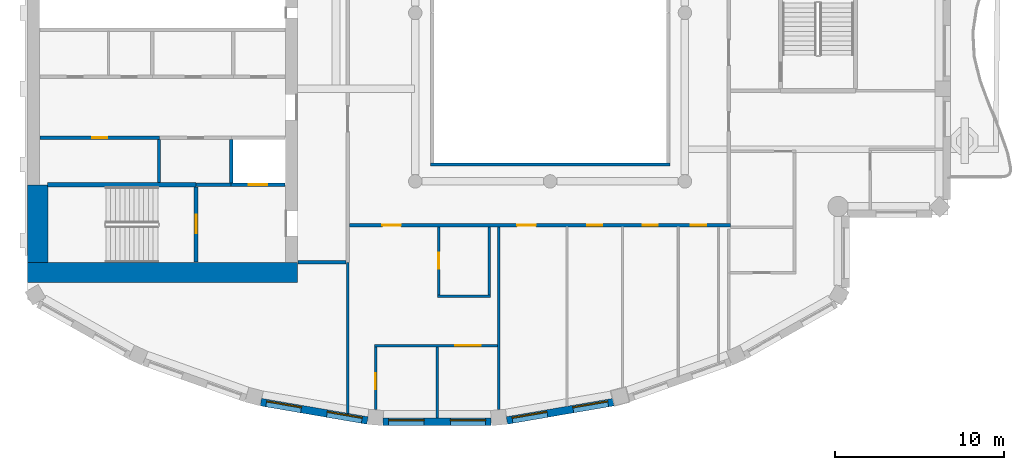
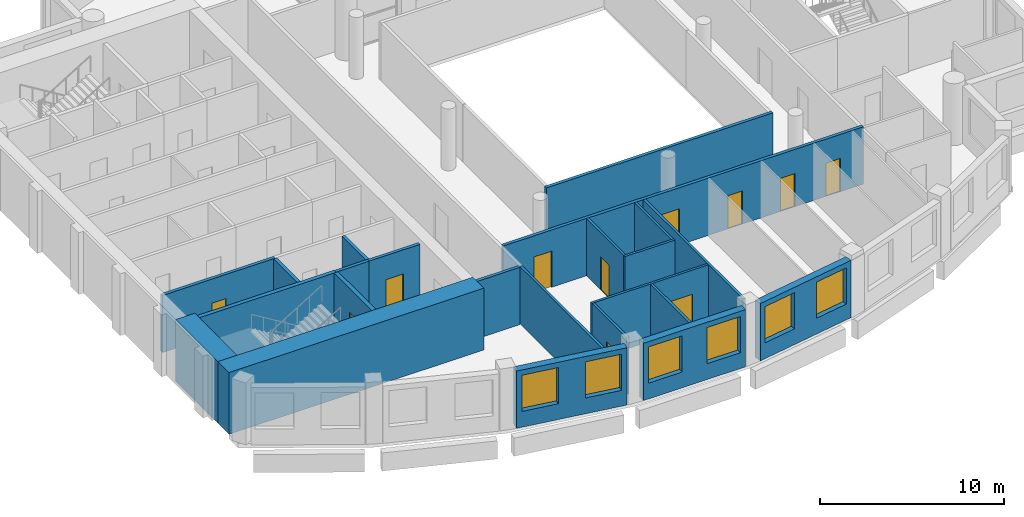
# One storey, part 4 of 15: 23 walls, 11 doors, 6 windows, 17 openings.
"""IFC4 building model written with IfcOpenShell, lengths in metres."""

from ifc_helpers import new_model, si_unit, direction, frame, frame_2d, origin, place, context, subcontext, project, spatial, rectangle, extrude, material, layer, layer_set, type_object, element, fill, save


model = new_model("IFC4")

# Units and contexts
model_context = context("Model", 3, precision=1e-05, world=origin(), true_north=direction((0.0, 1.0)))
body_context = subcontext(model_context, "Body", "Model", "MODEL_VIEW")
ifc_project = project(units=[si_unit("LENGTHUNIT", "METRE"), si_unit("AREAUNIT", "SQUARE_METRE"), si_unit("VOLUMEUNIT", "CUBIC_METRE"), si_unit("PLANEANGLEUNIT", "RADIAN"), si_unit("MASSUNIT", "GRAM", prefix="KILO")], contexts=[model_context])

# Site, building, storey
site_placement = place(None, origin())
site = spatial("IfcSite", under=ifc_project, at=site_placement, CompositionType="ELEMENT")
building_placement = place(site_placement, origin())
building = spatial("IfcBuilding", under=site, at=building_placement, Name="Cypress Arch Tower", CompositionType="ELEMENT")
storey_placement = place(building_placement, frame((0.0, 0.0, 321.300048828125)))
storey = spatial("IfcBuildingStorey", under=building, at=storey_placement, Name="L73", CompositionType="ELEMENT", Elevation=321.300048828125)

# Wall, openings, windows
ifc_material_1 = material(Name="Brick (red buff blend)", Category="masonry")
ifc_layer_1 = layer(ifc_material_1, 0.449951171875)
ifc_layer_set_1 = layer_set([ifc_layer_1], Name="Brick pier and spandrel wall BW450")
wall_type_1 = type_object("IfcWallType", Name="Brick pier and spandrel wall BW450", PredefinedType="SOLIDWALL", material=ifc_layer_set_1)
wall_1_placement = place(storey_placement, frame((-16.15673828125, -23.09716796875, 0.0), z_axis=(0.0, 0.0, 1.0), x_axis=(0.985502073964, -0.169663379113, 0.0)))
wall_1 = element("IfcWall", 1, at=wall_1_placement, inside=storey, type_object=wall_type_1, Name="Brick wall L73 C10.0", PredefinedType="SOLIDWALL", context=body_context, shape_type="SweptSolid", body=[
    extrude(rectangle(XDim=6.412109375, YDim=0.449951171875, at=frame_2d((3.2060546875, 0.0))), origin(), (0.0, 0.0, 1.0), 3.800048828125),
])
opening_1_placement = place(wall_1_placement, frame((0.3271484375, 0.0, 1.050048828125)))
opening_1 = element("IfcOpeningElement", 2, at=opening_1_placement, cuts=wall_1, Name="Opening W210O", PredefinedType="OPENING", context=body_context, shape_type="SweptSolid", body=[
    extrude(rectangle(XDim=2.10009765625, YDim=2.39990234375, at=frame_2d((1.050048828125, 1.199951171875))), frame((0.0, 0.23486328125, 0.0), z_axis=(0.0, -1.0, 0.0), x_axis=(1.0, 0.0, 0.0)), (0.0, 0.0, 1.0), 0.469970703125),
])
opening_2_placement = place(wall_1_placement, frame((3.98486328125, 0.0, 1.050048828125)))
opening_2 = element("IfcOpeningElement", 3, at=opening_2_placement, cuts=wall_1, Name="Opening W210O", PredefinedType="OPENING", context=body_context, shape_type="SweptSolid", body=[
    extrude(rectangle(XDim=2.10009765625, YDim=2.39990234375, at=frame_2d((1.050048828125, 1.199951171875))), frame((0.0, 0.23486328125, 0.0), z_axis=(0.0, -1.0, 0.0), x_axis=(1.0, 0.0, 0.0)), (0.0, 0.0, 1.0), 0.469970703125),
])
ifc_material_2 = material(Name="Anodised aluminium, bronze finish, clear low-emissivity double glazing", Category="aluminium")
window_type = type_object("IfcWindowType", Name="Window Office 2100x2400", PartitioningType="SINGLE_PANEL", PredefinedType="WINDOW", material=ifc_material_2)
window_1_placement = place(opening_1_placement, origin())
window_1 = element("IfcWindow", 4, at=window_1_placement, inside=storey, type_object=window_type, Name="Window L73 C10.0.1", OverallHeight=2.39990234375, OverallWidth=2.10009765625, PartitioningType="SINGLE_PANEL", PredefinedType="WINDOW", context=body_context, shape_type="SweptSolid", body=[
    extrude(rectangle(XDim=2.10009765625, YDim=2.39990234375, at=frame_2d((1.050048828125, 1.199951171875))), frame((0.0, 0.135009765625, 0.0), z_axis=(0.0, -1.0, 0.0), x_axis=(1.0, 0.0, 0.0)), (0.0, 0.0, 1.0), 0.06005859375),
])
fill(opening_1, window_1)
window_2_placement = place(opening_2_placement, origin())
window_2 = element("IfcWindow", 5, at=window_2_placement, inside=storey, type_object=window_type, Name="Window L73 C10.0.2", OverallHeight=2.39990234375, OverallWidth=2.10009765625, PartitioningType="SINGLE_PANEL", PredefinedType="WINDOW", context=body_context, shape_type="SweptSolid", body=[
    extrude(rectangle(XDim=2.10009765625, YDim=2.39990234375, at=frame_2d((1.050048828125, 1.199951171875))), frame((0.0, 0.135009765625, 0.0), z_axis=(0.0, -1.0, 0.0), x_axis=(1.0, 0.0, 0.0)), (0.0, 0.0, 1.0), 0.06005859375),
])
fill(opening_2, window_2)

wall_2_placement = place(storey_placement, frame((-8.90283203125, -24.264892578125, 0.0), z_axis=(0.0, 0.0, 1.0), x_axis=(1.0, 0.0, 0.0)))
wall_2 = element("IfcWall", 6, at=wall_2_placement, inside=storey, type_object=wall_type_1, Name="Brick wall L73 C11.0", PredefinedType="SOLIDWALL", context=body_context, shape_type="SweptSolid", body=[
    extrude(rectangle(XDim=6.405517578125, YDim=0.449951171875, at=frame_2d((3.20263671875, 0.0))), origin(), (0.0, 0.0, 1.0), 3.800048828125),
])
opening_3_placement = place(wall_2_placement, frame((0.325439453125, 0.0, 1.050048828125)))
opening_3 = element("IfcOpeningElement", 7, at=opening_3_placement, cuts=wall_2, Name="Opening W210O", PredefinedType="OPENING", context=body_context, shape_type="SweptSolid", body=[
    extrude(rectangle(XDim=2.10009765625, YDim=2.39990234375, at=frame_2d((1.050048828125, 1.199951171875))), frame((0.0, 0.23486328125, 0.0), z_axis=(0.0, -1.0, 0.0), x_axis=(1.0, 0.0, 0.0)), (0.0, 0.0, 1.0), 0.469970703125),
])
opening_4_placement = place(wall_2_placement, frame((3.97998046875, 0.0, 1.050048828125)))
opening_4 = element("IfcOpeningElement", 8, at=opening_4_placement, cuts=wall_2, Name="Opening W210O", PredefinedType="OPENING", context=body_context, shape_type="SweptSolid", body=[
    extrude(rectangle(XDim=2.10009765625, YDim=2.39990234375, at=frame_2d((1.050048828125, 1.199951171875))), frame((0.0, 0.23486328125, 0.0), z_axis=(0.0, -1.0, 0.0), x_axis=(1.0, 0.0, 0.0)), (0.0, 0.0, 1.0), 0.469970703125),
])
window_3_placement = place(opening_3_placement, origin())
window_3 = element("IfcWindow", 9, at=window_3_placement, inside=storey, type_object=window_type, Name="Window L73 C11.0.1", OverallHeight=2.39990234375, OverallWidth=2.10009765625, PartitioningType="SINGLE_PANEL", PredefinedType="WINDOW", context=body_context, shape_type="SweptSolid", body=[
    extrude(rectangle(XDim=2.10009765625, YDim=2.39990234375, at=frame_2d((1.050048828125, 1.199951171875))), frame((0.0, 0.135009765625, 0.0), z_axis=(0.0, -1.0, 0.0), x_axis=(1.0, 0.0, 0.0)), (0.0, 0.0, 1.0), 0.06005859375),
])
fill(opening_3, window_3)
window_4_placement = place(opening_4_placement, origin())
window_4 = element("IfcWindow", 10, at=window_4_placement, inside=storey, type_object=window_type, Name="Window L73 C11.0.2", OverallHeight=2.39990234375, OverallWidth=2.10009765625, PartitioningType="SINGLE_PANEL", PredefinedType="WINDOW", context=body_context, shape_type="SweptSolid", body=[
    extrude(rectangle(XDim=2.10009765625, YDim=2.39990234375, at=frame_2d((1.050048828125, 1.199951171875))), frame((0.0, 0.135009765625, 0.0), z_axis=(0.0, -1.0, 0.0), x_axis=(1.0, 0.0, 0.0)), (0.0, 0.0, 1.0), 0.06005859375),
])
fill(opening_4, window_4)

wall_3_placement = place(storey_placement, frame((-1.562255859375, -24.18505859375, 0.0), z_axis=(0.0, 0.0, 1.0), x_axis=(0.985502073964, 0.169663379113, 0.0)))
wall_3 = element("IfcWall", 11, at=wall_3_placement, inside=storey, type_object=wall_type_1, Name="Brick wall L73 C12.0", PredefinedType="SOLIDWALL", context=body_context, shape_type="SweptSolid", body=[
    extrude(rectangle(XDim=6.412109375, YDim=0.449951171875, at=frame_2d((3.2060546875, 0.0))), origin(), (0.0, 0.0, 1.0), 3.800048828125),
])
opening_5_placement = place(wall_3_placement, frame((0.3271484375, 0.0, 1.050048828125)))
opening_5 = element("IfcOpeningElement", 12, at=opening_5_placement, cuts=wall_3, Name="Opening W210O", PredefinedType="OPENING", context=body_context, shape_type="SweptSolid", body=[
    extrude(rectangle(XDim=2.10009765625, YDim=2.39990234375, at=frame_2d((1.050048828125, 1.199951171875))), frame((0.0, 0.23486328125, 0.0), z_axis=(0.0, -1.0, 0.0), x_axis=(1.0, 0.0, 0.0)), (0.0, 0.0, 1.0), 0.469970703125),
])
opening_6_placement = place(wall_3_placement, frame((3.98486328125, 0.0, 1.050048828125)))
opening_6 = element("IfcOpeningElement", 13, at=opening_6_placement, cuts=wall_3, Name="Opening W210O", PredefinedType="OPENING", context=body_context, shape_type="SweptSolid", body=[
    extrude(rectangle(XDim=2.10009765625, YDim=2.39990234375, at=frame_2d((1.050048828125, 1.199951171875))), frame((0.0, 0.23486328125, 0.0), z_axis=(0.0, -1.0, 0.0), x_axis=(1.0, 0.0, 0.0)), (0.0, 0.0, 1.0), 0.469970703125),
])
window_5_placement = place(opening_5_placement, origin())
window_5 = element("IfcWindow", 14, at=window_5_placement, inside=storey, type_object=window_type, Name="Window L73 C12.0.1", OverallHeight=2.39990234375, OverallWidth=2.10009765625, PartitioningType="SINGLE_PANEL", PredefinedType="WINDOW", context=body_context, shape_type="SweptSolid", body=[
    extrude(rectangle(XDim=2.10009765625, YDim=2.39990234375, at=frame_2d((1.050048828125, 1.199951171875))), frame((0.0, 0.135009765625, 0.0), z_axis=(0.0, -1.0, 0.0), x_axis=(1.0, 0.0, 0.0)), (0.0, 0.0, 1.0), 0.06005859375),
])
fill(opening_5, window_5)
window_6_placement = place(opening_6_placement, origin())
window_6 = element("IfcWindow", 15, at=window_6_placement, inside=storey, type_object=window_type, Name="Window L73 C12.0.2", OverallHeight=2.39990234375, OverallWidth=2.10009765625, PartitioningType="SINGLE_PANEL", PredefinedType="WINDOW", context=body_context, shape_type="SweptSolid", body=[
    extrude(rectangle(XDim=2.10009765625, YDim=2.39990234375, at=frame_2d((1.050048828125, 1.199951171875))), frame((0.0, 0.135009765625, 0.0), z_axis=(0.0, -1.0, 0.0), x_axis=(1.0, 0.0, 0.0)), (0.0, 0.0, 1.0), 0.06005859375),
])
fill(opening_6, window_6)

# Walls
ifc_material_3 = material(Name="Concrete C60/75", Category="concrete")
ifc_layer_2 = layer(ifc_material_3, 1.199951171875)
ifc_layer_set_2 = layer_set([ifc_layer_2], Name="Core wall CW1200 C60/75")
wall_type_2 = type_object("IfcWallType", Name="Core wall CW1200 C60/75", PredefinedType="SHEAR", material=ifc_layer_set_2)
wall_4_placement = place(storey_placement, frame((-30.0, -15.39990234375, 0.0), z_axis=(0.0, 0.0, 1.0), x_axis=(1.0, 0.0, 0.0)))
element("IfcWall", 16, at=wall_4_placement, inside=storey, type_object=wall_type_2, Name="Core wall", PredefinedType="SHEAR", context=body_context, shape_type="SweptSolid", body=[
    extrude(rectangle(XDim=16.0, YDim=1.199951171875, at=frame_2d((8.0, 0.0))), origin(), (0.0, 0.0, 1.0), 4.099853515625),
])
wall_5_placement = place(storey_placement, frame((-29.39990234375, -14.800048828125, 0.0), z_axis=(0.0, 0.0, 1.0), x_axis=(0.0, 1.0, 0.0)))
element("IfcWall", 17, at=wall_5_placement, inside=storey, type_object=wall_type_2, Name="Core wall", PredefinedType="SHEAR", context=body_context, shape_type="SweptSolid", body=[
    extrude(rectangle(XDim=4.60009765625, YDim=1.199951171875, at=frame_2d((2.300048828125, 0.0))), origin(), (0.0, 0.0, 1.0), 4.099853515625),
])

# Wall, opening, door
ifc_material_4 = material(Name="Concrete blockwork, plastered, rated", Category="masonry")
ifc_layer_3 = layer(ifc_material_4, 0.199951171875)
ifc_layer_set_3 = layer_set([ifc_layer_3], Name="Corridor wall FW200")
wall_type_3 = type_object("IfcWallType", Name="Corridor wall FW200", PredefinedType="PARTITIONING", material=ifc_layer_set_3)
wall_6_placement = place(storey_placement, frame((-29.27001953125, -7.39990234375, 0.0), z_axis=(0.0, 0.0, 1.0), x_axis=(1.0, 0.0, 0.0)))
wall_6 = element("IfcWall", 18, at=wall_6_placement, inside=storey, type_object=wall_type_3, Name="Corridor wall", PredefinedType="PARTITIONING", context=body_context, shape_type="SweptSolid", body=[
    extrude(rectangle(XDim=7.090087890625, YDim=0.199951171875, at=frame_2d((3.544921875, 0.0))), origin(), (0.0, 0.0, 1.0), 3.800048828125),
])
opening_7_placement = place(wall_6_placement, frame((3.10009765625, 0.0, 0.0)))
opening_7 = element("IfcOpeningElement", 19, at=opening_7_placement, cuts=wall_6, Name="Opening D05", PredefinedType="OPENING", context=body_context, shape_type="SweptSolid", body=[
    extrude(rectangle(XDim=0.89990234375, YDim=2.199951171875, at=frame_2d((0.449951171875, 1.10009765625))), frame((0.0, 0.10986328125, 0.0), z_axis=(0.0, -1.0, 0.0), x_axis=(1.0, 0.0, 0.0)), (0.0, 0.0, 1.0), 0.219970703125),
])
ifc_material_5 = material(Name="Timber flush door", Category="wood")
door_type_1 = type_object("IfcDoorType", Name="Service door D05 900x2200", OperationType="SINGLE_SWING_LEFT", PredefinedType="DOOR", material=ifc_material_5)
door_1_placement = place(opening_7_placement, origin())
door_1 = element("IfcDoor", 20, at=door_1_placement, inside=storey, type_object=door_type_1, Name="Service door", OperationType="SINGLE_SWING_LEFT", OverallHeight=2.199951171875, OverallWidth=0.89990234375, PredefinedType="DOOR", context=body_context, shape_type="SweptSolid", body=[
    extrude(rectangle(XDim=0.89990234375, YDim=2.199951171875, at=frame_2d((0.449951171875, 1.10009765625))), frame((0.0, 0.02490234375, 0.0), z_axis=(0.0, -1.0, 0.0), x_axis=(1.0, 0.0, 0.0)), (0.0, 0.0, 1.0), 0.050048828125),
])
fill(opening_7, door_1)

# Wall
wall_7_placement = place(storey_placement, frame((-13.969970703125, -14.800048828125, 0.0), z_axis=(0.0, 0.0, 1.0), x_axis=(1.0, 0.0, 0.0)))
element("IfcWall", 21, at=wall_7_placement, inside=storey, type_object=wall_type_3, Name="Corridor wall", PredefinedType="PARTITIONING", context=body_context, shape_type="SweptSolid", body=[
    extrude(rectangle(XDim=2.869873046875, YDim=0.199951171875, at=frame_2d((1.43505859375, 0.0))), origin(), (0.0, 0.0, 1.0), 3.800048828125),
])

# Wall, openings, doors
wall_8_placement = place(storey_placement, frame((-10.89990234375, -12.60009765625, 0.0), z_axis=(0.0, 0.0, 1.0), x_axis=(1.0, 0.0, 0.0)))
wall_8 = element("IfcWall", 22, at=wall_8_placement, inside=storey, type_object=wall_type_3, Name="Corridor wall", PredefinedType="PARTITIONING", context=body_context, shape_type="SweptSolid", body=[
    extrude(rectangle(XDim=22.599853515625, YDim=0.199951171875, at=frame_2d((11.2998046875, 0.0))), origin(), (0.0, 0.0, 1.0), 3.800048828125),
])
opening_8_placement = place(wall_8_placement, frame((14.10009765625, 0.0, 0.0)))
opening_8 = element("IfcOpeningElement", 23, at=opening_8_placement, cuts=wall_8, Name="Opening D03", PredefinedType="OPENING", context=body_context, shape_type="SweptSolid", body=[
    extrude(rectangle(XDim=0.89990234375, YDim=2.199951171875, at=frame_2d((0.449951171875, 1.10009765625))), frame((0.0, 0.10986328125, 0.0), z_axis=(0.0, -1.0, 0.0), x_axis=(1.0, 0.0, 0.0)), (0.0, 0.0, 1.0), 0.219970703125),
])
opening_9_placement = place(wall_8_placement, frame((17.39990234375, 0.0, 0.0)))
opening_9 = element("IfcOpeningElement", 24, at=opening_9_placement, cuts=wall_8, Name="Opening D03", PredefinedType="OPENING", context=body_context, shape_type="SweptSolid", body=[
    extrude(rectangle(XDim=0.89990234375, YDim=2.199951171875, at=frame_2d((0.449951171875, 1.10009765625))), frame((0.0, 0.10986328125, 0.0), z_axis=(0.0, -1.0, 0.0), x_axis=(1.0, 0.0, 0.0)), (0.0, 0.0, 1.0), 0.219970703125),
])
opening_10_placement = place(wall_8_placement, frame((20.25, 0.0, 0.0)))
opening_10 = element("IfcOpeningElement", 25, at=opening_10_placement, cuts=wall_8, Name="Opening D03", PredefinedType="OPENING", context=body_context, shape_type="SweptSolid", body=[
    extrude(rectangle(XDim=0.89990234375, YDim=2.199951171875, at=frame_2d((0.449951171875, 1.10009765625))), frame((0.0, 0.10986328125, 0.0), z_axis=(0.0, -1.0, 0.0), x_axis=(1.0, 0.0, 0.0)), (0.0, 0.0, 1.0), 0.219970703125),
])
opening_11_placement = place(wall_8_placement, frame((1.949951171875, 0.0, 0.0)))
opening_11 = element("IfcOpeningElement", 26, at=opening_11_placement, cuts=wall_8, Name="Opening D01", PredefinedType="OPENING", context=body_context, shape_type="SweptSolid", body=[
    extrude(rectangle(XDim=1.10009765625, YDim=2.39990234375, at=frame_2d((0.550048828125, 1.199951171875))), frame((0.0, 0.10986328125, 0.0), z_axis=(0.0, -1.0, 0.0), x_axis=(1.0, 0.0, 0.0)), (0.0, 0.0, 1.0), 0.219970703125),
])
opening_12_placement = place(wall_8_placement, frame((9.949951171875, 0.0, 0.0)))
opening_12 = element("IfcOpeningElement", 27, at=opening_12_placement, cuts=wall_8, Name="Opening D01", PredefinedType="OPENING", context=body_context, shape_type="SweptSolid", body=[
    extrude(rectangle(XDim=1.10009765625, YDim=2.39990234375, at=frame_2d((0.550048828125, 1.199951171875))), frame((0.0, 0.10986328125, 0.0), z_axis=(0.0, -1.0, 0.0), x_axis=(1.0, 0.0, 0.0)), (0.0, 0.0, 1.0), 0.219970703125),
])
ifc_material_6 = material(Name="Timber flush door, moisture resistant", Category="wood")
door_type_2 = type_object("IfcDoorType", Name="Bathroom door D03 900x2200", OperationType="SINGLE_SWING_LEFT", PredefinedType="DOOR", material=ifc_material_6)
door_2_placement = place(opening_8_placement, origin())
door_2 = element("IfcDoor", 28, at=door_2_placement, inside=storey, type_object=door_type_2, Name="Bathroom door", OperationType="SINGLE_SWING_LEFT", OverallHeight=2.199951171875, OverallWidth=0.89990234375, PredefinedType="DOOR", context=body_context, shape_type="SweptSolid", body=[
    extrude(rectangle(XDim=0.89990234375, YDim=2.199951171875, at=frame_2d((0.449951171875, 1.10009765625))), frame((0.0, 0.02490234375, 0.0), z_axis=(0.0, -1.0, 0.0), x_axis=(1.0, 0.0, 0.0)), (0.0, 0.0, 1.0), 0.050048828125),
])
fill(opening_8, door_2)
door_3_placement = place(opening_9_placement, origin())
door_3 = element("IfcDoor", 29, at=door_3_placement, inside=storey, type_object=door_type_2, Name="Bathroom door", OperationType="SINGLE_SWING_LEFT", OverallHeight=2.199951171875, OverallWidth=0.89990234375, PredefinedType="DOOR", context=body_context, shape_type="SweptSolid", body=[
    extrude(rectangle(XDim=0.89990234375, YDim=2.199951171875, at=frame_2d((0.449951171875, 1.10009765625))), frame((0.0, 0.02490234375, 0.0), z_axis=(0.0, -1.0, 0.0), x_axis=(1.0, 0.0, 0.0)), (0.0, 0.0, 1.0), 0.050048828125),
])
fill(opening_9, door_3)
door_4_placement = place(opening_10_placement, origin())
door_4 = element("IfcDoor", 30, at=door_4_placement, inside=storey, type_object=door_type_2, Name="Bathroom door", OperationType="SINGLE_SWING_LEFT", OverallHeight=2.199951171875, OverallWidth=0.89990234375, PredefinedType="DOOR", context=body_context, shape_type="SweptSolid", body=[
    extrude(rectangle(XDim=0.89990234375, YDim=2.199951171875, at=frame_2d((0.449951171875, 1.10009765625))), frame((0.0, 0.02490234375, 0.0), z_axis=(0.0, -1.0, 0.0), x_axis=(1.0, 0.0, 0.0)), (0.0, 0.0, 1.0), 0.050048828125),
])
fill(opening_10, door_4)
ifc_material_7 = material(Name="Timber flush door, fire resisting, self-closing", Category="wood")
door_type_3 = type_object("IfcDoorType", Name="Unit entrance door D01 1100x2400", OperationType="SINGLE_SWING_LEFT", PredefinedType="DOOR", material=ifc_material_7)
door_5_placement = place(opening_11_placement, origin())
door_5 = element("IfcDoor", 31, at=door_5_placement, inside=storey, type_object=door_type_3, Name="Unit entrance door", OperationType="SINGLE_SWING_RIGHT", OverallHeight=2.39990234375, OverallWidth=1.10009765625, PredefinedType="DOOR", context=body_context, shape_type="SweptSolid", body=[
    extrude(rectangle(XDim=1.10009765625, YDim=2.39990234375, at=frame_2d((0.550048828125, 1.199951171875))), frame((0.0, 0.02490234375, 0.0), z_axis=(0.0, -1.0, 0.0), x_axis=(1.0, 0.0, 0.0)), (0.0, 0.0, 1.0), 0.050048828125),
])
fill(opening_11, door_5)
door_6_placement = place(opening_12_placement, origin())
door_6 = element("IfcDoor", 32, at=door_6_placement, inside=storey, type_object=door_type_3, Name="Unit entrance door", OperationType="SINGLE_SWING_RIGHT", OverallHeight=2.39990234375, OverallWidth=1.10009765625, PredefinedType="DOOR", context=body_context, shape_type="SweptSolid", body=[
    extrude(rectangle(XDim=1.10009765625, YDim=2.39990234375, at=frame_2d((0.550048828125, 1.199951171875))), frame((0.0, 0.02490234375, 0.0), z_axis=(0.0, -1.0, 0.0), x_axis=(1.0, 0.0, 0.0)), (0.0, 0.0, 1.0), 0.050048828125),
])
fill(opening_12, door_6)

# Walls
wall_9_placement = place(storey_placement, frame((-6.10009765625, -9.0, 0.0), z_axis=(0.0, 0.0, 1.0), x_axis=(1.0, 0.0, 0.0)))
element("IfcWall", 33, at=wall_9_placement, inside=storey, type_object=wall_type_3, Name="Corridor wall", PredefinedType="PARTITIONING", context=body_context, shape_type="SweptSolid", body=[
    extrude(rectangle(XDim=14.2001953125, YDim=0.199951171875, at=frame_2d((7.10009765625, 0.0))), origin(), (0.0, 0.0, 1.0), 3.800048828125),
])
ifc_material_8 = material(Name="Blockwork, plastered both sides", Category="masonry")
ifc_layer_4 = layer(ifc_material_8, 0.14990234375)
ifc_layer_set_4 = layer_set([ifc_layer_4], Name="Partition PW150")
wall_type_4 = type_object("IfcWallType", Name="Partition PW150", PredefinedType="PARTITIONING", material=ifc_layer_set_4)
wall_10_placement = place(storey_placement, frame((-11.0, -23.756591796875, 0.0), z_axis=(0.0, 0.0, 1.0), x_axis=(0.0, 1.0, 0.0)))
element("IfcWall", 34, at=wall_10_placement, inside=storey, type_object=wall_type_4, Name="Partition", PredefinedType="PARTITIONING", context=body_context, shape_type="SweptSolid", body=[
    extrude(rectangle(XDim=8.9365234375, YDim=0.14990234375, at=frame_2d((4.46826171875, 0.0))), origin(), (0.0, 0.0, 1.0), 3.800048828125),
])

# Wall, opening, door
wall_11_placement = place(storey_placement, frame((-9.35400390625, -23.54150390625, 0.0), z_axis=(0.0, 0.0, 1.0), x_axis=(0.0, 1.0, 0.0)))
wall_11 = element("IfcWall", 35, at=wall_11_placement, inside=storey, type_object=wall_type_4, Name="Partition", PredefinedType="PARTITIONING", context=body_context, shape_type="SweptSolid", body=[
    extrude(rectangle(XDim=3.7265625, YDim=0.14990234375, at=frame_2d((1.86328125, 0.0))), origin(), (0.0, 0.0, 1.0), 3.800048828125),
])
opening_13_placement = place(wall_11_placement, frame((1.199951171875, 0.0, 0.0)))
opening_13 = element("IfcOpeningElement", 36, at=opening_13_placement, cuts=wall_11, Name="Opening D12", PredefinedType="OPENING", context=body_context, shape_type="SweptSolid", body=[
    extrude(rectangle(XDim=0.949951171875, YDim=2.199951171875, at=frame_2d((0.47509765625, 1.10009765625))), frame((0.0, 0.0849609375, 0.0), z_axis=(0.0, -1.0, 0.0), x_axis=(1.0, 0.0, 0.0)), (0.0, 0.0, 1.0), 0.169921875),
])
ifc_material_9 = material(Name="Timber flush door", Category="wood")
door_type_4 = type_object("IfcDoorType", Name="Room door D12 950x2200", OperationType="SINGLE_SWING_LEFT", PredefinedType="DOOR", material=ifc_material_9)
door_7_placement = place(opening_13_placement, origin())
door_7 = element("IfcDoor", 37, at=door_7_placement, inside=storey, type_object=door_type_4, Name="Room door", OperationType="SINGLE_SWING_LEFT", OverallHeight=2.199951171875, OverallWidth=0.949951171875, PredefinedType="DOOR", context=body_context, shape_type="SweptSolid", body=[
    extrude(rectangle(XDim=0.949951171875, YDim=2.199951171875, at=frame_2d((0.47509765625, 1.10009765625))), frame((0.0, 0.02490234375, 0.0), z_axis=(0.0, -1.0, 0.0), x_axis=(1.0, 0.0, 0.0)), (0.0, 0.0, 1.0), 0.050048828125),
])
fill(opening_13, door_7)

wall_12_placement = place(storey_placement, frame((-9.428955078125, -19.739990234375, 0.0), z_axis=(0.0, 0.0, 1.0), x_axis=(1.0, 0.0, 0.0)))
wall_12 = element("IfcWall", 38, at=wall_12_placement, inside=storey, type_object=wall_type_4, Name="Partition", PredefinedType="PARTITIONING", context=body_context, shape_type="SweptSolid", body=[
    extrude(rectangle(XDim=7.307861328125, YDim=0.14990234375, at=frame_2d((3.65380859375, 0.0))), origin(), (0.0, 0.0, 1.0), 3.800048828125),
])
opening_14_placement = place(wall_12_placement, frame((4.800048828125, 0.0, 0.0)))
opening_14 = element("IfcOpeningElement", 39, at=opening_14_placement, cuts=wall_12, Name="Opening D04", PredefinedType="OPENING", context=body_context, shape_type="SweptSolid", body=[
    extrude(rectangle(XDim=1.5, YDim=2.199951171875, at=frame_2d((0.75, 1.10009765625))), frame((0.0, 0.0849609375, 0.0), z_axis=(0.0, -1.0, 0.0), x_axis=(1.0, 0.0, 0.0)), (0.0, 0.0, 1.0), 0.169921875),
])
ifc_material_10 = material(Name="Timber double door", Category="wood")
door_type_5 = type_object("IfcDoorType", Name="Double door D04 1500x2200", OperationType="DOUBLE_DOOR_SINGLE_SWING", PredefinedType="DOOR", material=ifc_material_10)
door_8_placement = place(opening_14_placement, origin())
door_8 = element("IfcDoor", 40, at=door_8_placement, inside=storey, type_object=door_type_5, Name="Double door", OperationType="DOUBLE_DOOR_SINGLE_SWING", OverallHeight=2.199951171875, OverallWidth=1.5, PredefinedType="DOOR", context=body_context, shape_type="SweptSolid", body=[
    extrude(rectangle(XDim=1.5, YDim=2.199951171875, at=frame_2d((0.75, 1.10009765625))), frame((0.0, 0.02490234375, 0.0), z_axis=(0.0, -1.0, 0.0), x_axis=(1.0, 0.0, 0.0)), (0.0, 0.0, 1.0), 0.050048828125),
])
fill(opening_14, door_8)

# Wall
wall_13_placement = place(storey_placement, frame((-5.699951171875, -24.0400390625, 0.0), z_axis=(0.0, 0.0, 1.0), x_axis=(0.0, 1.0, 0.0)))
element("IfcWall", 41, at=wall_13_placement, inside=storey, type_object=wall_type_4, Name="Partition", PredefinedType="PARTITIONING", context=body_context, shape_type="SweptSolid", body=[
    extrude(rectangle(XDim=4.22509765625, YDim=0.14990234375, at=frame_2d((2.112548828125, 0.0))), origin(), (0.0, 0.0, 1.0), 3.800048828125),
])

# Wall, opening, door
wall_14_placement = place(storey_placement, frame((-5.60009765625, -16.72509765625, 0.0), z_axis=(0.0, 0.0, 1.0), x_axis=(0.0, 1.0, 0.0)))
wall_14 = element("IfcWall", 42, at=wall_14_placement, inside=storey, type_object=wall_type_4, Name="Partition", PredefinedType="PARTITIONING", context=body_context, shape_type="SweptSolid", body=[
    extrude(rectangle(XDim=4.025146484375, YDim=0.14990234375, at=frame_2d((2.0126953125, 0.0))), origin(), (0.0, 0.0, 1.0), 3.800048828125),
])
opening_15_placement = place(wall_14_placement, frame((1.550048828125, 0.0, 0.0)))
opening_15 = element("IfcOpeningElement", 43, at=opening_15_placement, cuts=wall_14, Name="Opening D12", PredefinedType="OPENING", context=body_context, shape_type="SweptSolid", body=[
    extrude(rectangle(XDim=0.949951171875, YDim=2.199951171875, at=frame_2d((0.47509765625, 1.10009765625))), frame((0.0, 0.0849609375, 0.0), z_axis=(0.0, -1.0, 0.0), x_axis=(1.0, 0.0, 0.0)), (0.0, 0.0, 1.0), 0.169921875),
])
door_9_placement = place(opening_15_placement, origin())
door_9 = element("IfcDoor", 44, at=door_9_placement, inside=storey, type_object=door_type_4, Name="Room door", OperationType="SINGLE_SWING_RIGHT", OverallHeight=2.199951171875, OverallWidth=0.949951171875, PredefinedType="DOOR", context=body_context, shape_type="SweptSolid", body=[
    extrude(rectangle(XDim=0.949951171875, YDim=2.199951171875, at=frame_2d((0.47509765625, 1.10009765625))), frame((0.0, 0.02490234375, 0.0), z_axis=(0.0, -1.0, 0.0), x_axis=(1.0, 0.0, 0.0)), (0.0, 0.0, 1.0), 0.050048828125),
])
fill(opening_15, door_9)

# Walls
wall_15_placement = place(storey_placement, frame((-5.675048828125, -16.800048828125, 0.0), z_axis=(0.0, 0.0, 1.0), x_axis=(1.0, 0.0, 0.0)))
element("IfcWall", 45, at=wall_15_placement, inside=storey, type_object=wall_type_4, Name="Partition", PredefinedType="PARTITIONING", context=body_context, shape_type="SweptSolid", body=[
    extrude(rectangle(XDim=3.150146484375, YDim=0.14990234375, at=frame_2d((1.5751953125, 0.0))), origin(), (0.0, 0.0, 1.0), 3.800048828125),
])
wall_16_placement = place(storey_placement, frame((-2.60009765625, -16.72509765625, 0.0), z_axis=(0.0, 0.0, 1.0), x_axis=(0.0, 1.0, 0.0)))
element("IfcWall", 46, at=wall_16_placement, inside=storey, type_object=wall_type_4, Name="Partition", PredefinedType="PARTITIONING", context=body_context, shape_type="SweptSolid", body=[
    extrude(rectangle(XDim=4.025146484375, YDim=0.14990234375, at=frame_2d((2.0126953125, 0.0))), origin(), (0.0, 0.0, 1.0), 3.800048828125),
])
wall_17_placement = place(storey_placement, frame((-2.0458984375, -23.54150390625, 0.0), z_axis=(0.0, 0.0, 1.0), x_axis=(0.0, 1.0, 0.0)))
element("IfcWall", 47, at=wall_17_placement, inside=storey, type_object=wall_type_4, Name="Partition", PredefinedType="PARTITIONING", context=body_context, shape_type="SweptSolid", body=[
    extrude(rectangle(XDim=10.841552734375, YDim=0.14990234375, at=frame_2d((5.4208984375, 0.0))), origin(), (0.0, 0.0, 1.0), 3.800048828125),
])
ifc_material_11 = material(Name="Reinforced blockwork, plastered, rated", Category="masonry")
ifc_layer_5 = layer(ifc_material_11, 0.199951171875)
ifc_layer_set_5 = layer_set([ifc_layer_5], Name="Plant and riser wall PL200")
wall_type_5 = type_object("IfcWallType", Name="Plant and riser wall PL200", PredefinedType="PARTITIONING", material=ifc_layer_set_5)
wall_18_placement = place(storey_placement, frame((-22.199951171875, -10.074951171875, 0.0), z_axis=(0.0, 0.0, 1.0), x_axis=(0.0, 1.0, 0.0)))
element("IfcWall", 48, at=wall_18_placement, inside=storey, type_object=wall_type_5, Name="Plant and riser wall", PredefinedType="PARTITIONING", context=body_context, shape_type="SweptSolid", body=[
    extrude(rectangle(XDim=2.574951171875, YDim=0.199951171875, at=frame_2d((1.28759765625, 0.0))), origin(), (0.0, 0.0, 1.0), 3.800048828125),
])
wall_19_placement = place(storey_placement, frame((-20.0, -10.199951171875, 0.0), z_axis=(0.0, 0.0, 1.0), x_axis=(1.0, 0.0, 0.0)))
element("IfcWall", 49, at=wall_19_placement, inside=storey, type_object=wall_type_5, Name="Plant and riser wall", PredefinedType="PARTITIONING", context=body_context, shape_type="SweptSolid", body=[
    extrude(rectangle(XDim=2.080078125, YDim=0.199951171875, at=frame_2d((1.0400390625, 0.0))), origin(), (0.0, 0.0, 1.0), 3.800048828125),
])
ifc_material_12 = material(Name="Concrete C50/60", Category="concrete")
ifc_layer_6 = layer(ifc_material_12, 0.199951171875)
ifc_layer_set_6 = layer_set([ifc_layer_6], Name="Shaft wall SH200")
wall_type_6 = type_object("IfcWallType", Name="Shaft wall SH200", PredefinedType="SHEAR", material=ifc_layer_set_6)
wall_20_placement = place(storey_placement, frame((-17.919921875, -10.10009765625, 0.0), z_axis=(0.0, 0.0, 1.0), x_axis=(0.0, 1.0, 0.0)))
element("IfcWall", 50, at=wall_20_placement, inside=storey, type_object=wall_type_6, Name="Shaft wall", PredefinedType="SHEAR", context=body_context, shape_type="SweptSolid", body=[
    extrude(rectangle(XDim=2.60009765625, YDim=0.199951171875, at=frame_2d((1.300048828125, 0.0))), origin(), (0.0, 0.0, 1.0), 3.800048828125),
])

# Wall, opening, door
wall_21_placement = place(storey_placement, frame((-17.919921875, -10.199951171875, 0.0), z_axis=(0.0, 0.0, 1.0), x_axis=(1.0, 0.0, 0.0)))
wall_21 = element("IfcWall", 51, at=wall_21_placement, inside=storey, type_object=wall_type_6, Name="Shaft wall", PredefinedType="SHEAR", context=body_context, shape_type="SweptSolid", body=[
    extrude(rectangle(XDim=3.18994140625, YDim=0.199951171875, at=frame_2d((1.594970703125, 0.0))), origin(), (0.0, 0.0, 1.0), 3.800048828125),
])
opening_16_placement = place(wall_21_placement, frame((1.050048828125, 0.0, 0.0)))
opening_16 = element("IfcOpeningElement", 52, at=opening_16_placement, cuts=wall_21, Name="Opening LD-FL1", PredefinedType="OPENING", context=body_context, shape_type="SweptSolid", body=[
    extrude(rectangle(XDim=1.10009765625, YDim=2.199951171875, at=frame_2d((0.550048828125, 1.10009765625))), frame((0.0, 0.10986328125, 0.0), z_axis=(0.0, -1.0, 0.0), x_axis=(1.0, 0.0, 0.0)), (0.0, 0.0, 1.0), 0.219970703125),
])
ifc_material_13 = material(Name="Stainless steel centre-opening landing door, rated", Category="steel")
door_type_6 = type_object("IfcDoorType", Name="Lift landing door LD 1100x2200", OperationType="DOUBLE_DOOR_SLIDING", PredefinedType="DOOR", material=ifc_material_13)
door_10_placement = place(opening_16_placement, origin())
door_10 = element("IfcDoor", 53, at=door_10_placement, inside=storey, type_object=door_type_6, Name="Lift landing doors FL1", OperationType="DOUBLE_DOOR_SLIDING", OverallHeight=2.199951171875, OverallWidth=1.10009765625, PredefinedType="DOOR", context=body_context, shape_type="SweptSolid", body=[
    extrude(rectangle(XDim=1.10009765625, YDim=2.199951171875, at=frame_2d((0.550048828125, 1.10009765625))), frame((0.0, 0.02490234375, 0.0), z_axis=(0.0, -1.0, 0.0), x_axis=(1.0, 0.0, 0.0)), (0.0, 0.0, 1.0), 0.050048828125),
])
fill(opening_16, door_10)

# Wall
ifc_material_14 = material(Name="Concrete C50/60", Category="concrete")
ifc_layer_7 = layer(ifc_material_14, 0.25)
ifc_layer_set_7 = layer_set([ifc_layer_7], Name="Stair enclosure wall SW250")
wall_type_7 = type_object("IfcWallType", Name="Stair enclosure wall SW250", PredefinedType="SHEAR", material=ifc_layer_set_7)
wall_22_placement = place(storey_placement, frame((-28.81005859375, -10.199951171875, 0.0), z_axis=(0.0, 0.0, 1.0), x_axis=(1.0, 0.0, 0.0)))
element("IfcWall", 54, at=wall_22_placement, inside=storey, type_object=wall_type_7, Name="Stair enclosure wall", PredefinedType="SHEAR", context=body_context, shape_type="SweptSolid", body=[
    extrude(rectangle(XDim=8.81005859375, YDim=0.25, at=frame_2d((4.405029296875, 0.0))), origin(), (0.0, 0.0, 1.0), 3.800048828125),
])

# Wall, opening, door
wall_23_placement = place(storey_placement, frame((-20.0, -14.77001953125, 0.0), z_axis=(0.0, 0.0, 1.0), x_axis=(0.0, 1.0, 0.0)))
wall_23 = element("IfcWall", 55, at=wall_23_placement, inside=storey, type_object=wall_type_7, Name="Stair enclosure wall", PredefinedType="SHEAR", context=body_context, shape_type="SweptSolid", body=[
    extrude(rectangle(XDim=4.445068359375, YDim=0.25, at=frame_2d((2.22265625, 0.0))), origin(), (0.0, 0.0, 1.0), 3.800048828125),
])
opening_17_placement = place(wall_23_placement, frame((1.699951171875, 0.0, 0.0)))
opening_17 = element("IfcOpeningElement", 56, at=opening_17_placement, cuts=wall_23, Name="Opening D06", PredefinedType="OPENING", context=body_context, shape_type="SweptSolid", body=[
    extrude(rectangle(XDim=1.10009765625, YDim=2.199951171875, at=frame_2d((0.550048828125, 1.10009765625))), frame((0.0, 0.135009765625, 0.0), z_axis=(0.0, -1.0, 0.0), x_axis=(1.0, 0.0, 0.0)), (0.0, 0.0, 1.0), 0.27001953125),
])
ifc_material_15 = material(Name="Steel door, fire resisting, panic bar", Category="steel")
door_type_7 = type_object("IfcDoorType", Name="Stair door D06 1100x2200", OperationType="SINGLE_SWING_LEFT", PredefinedType="DOOR", material=ifc_material_15)
door_11_placement = place(opening_17_placement, origin())
door_11 = element("IfcDoor", 57, at=door_11_placement, inside=storey, type_object=door_type_7, Name="Stair door", OperationType="SINGLE_SWING_RIGHT", OverallHeight=2.199951171875, OverallWidth=1.10009765625, PredefinedType="DOOR", context=body_context, shape_type="SweptSolid", body=[
    extrude(rectangle(XDim=1.10009765625, YDim=2.199951171875, at=frame_2d((0.550048828125, 1.10009765625))), frame((0.0, 0.02490234375, 0.0), z_axis=(0.0, -1.0, 0.0), x_axis=(1.0, 0.0, 0.0)), (0.0, 0.0, 1.0), 0.050048828125),
])
fill(opening_17, door_11)

save(model, "model.ifc")
